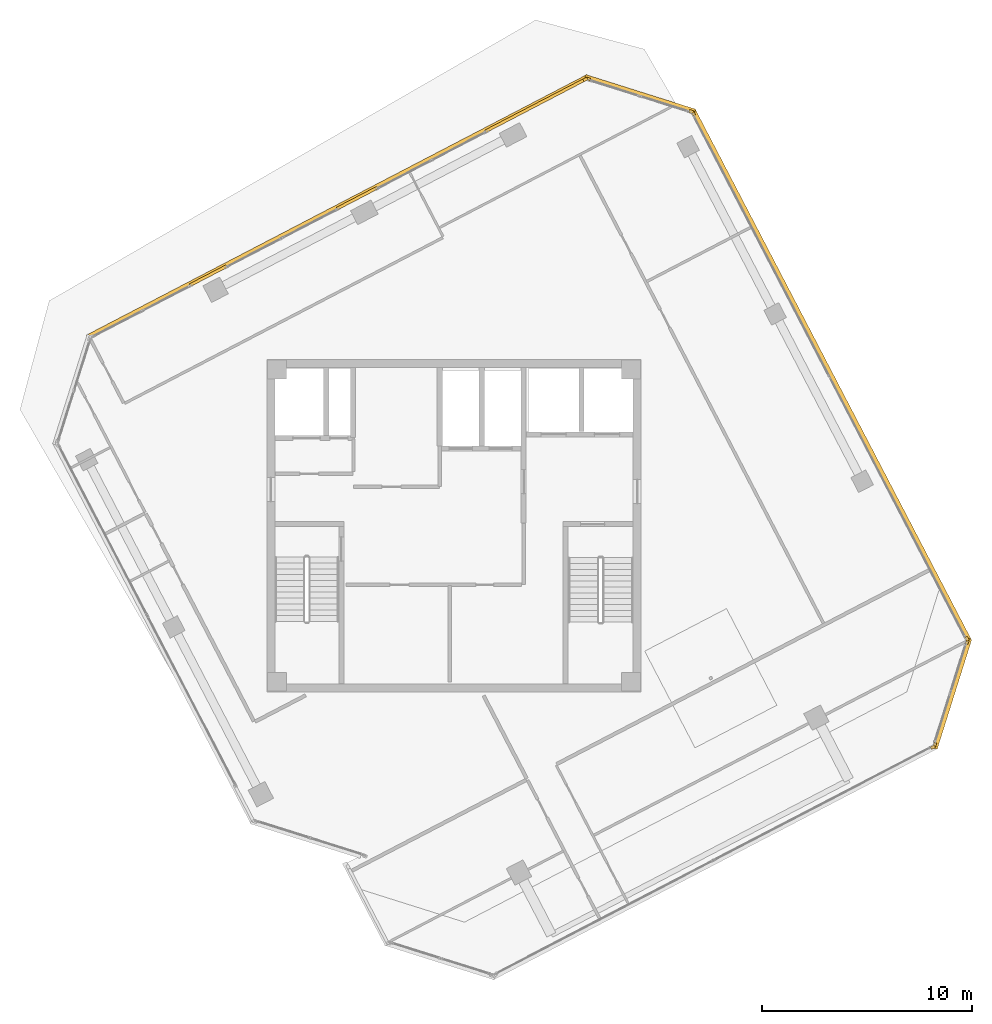
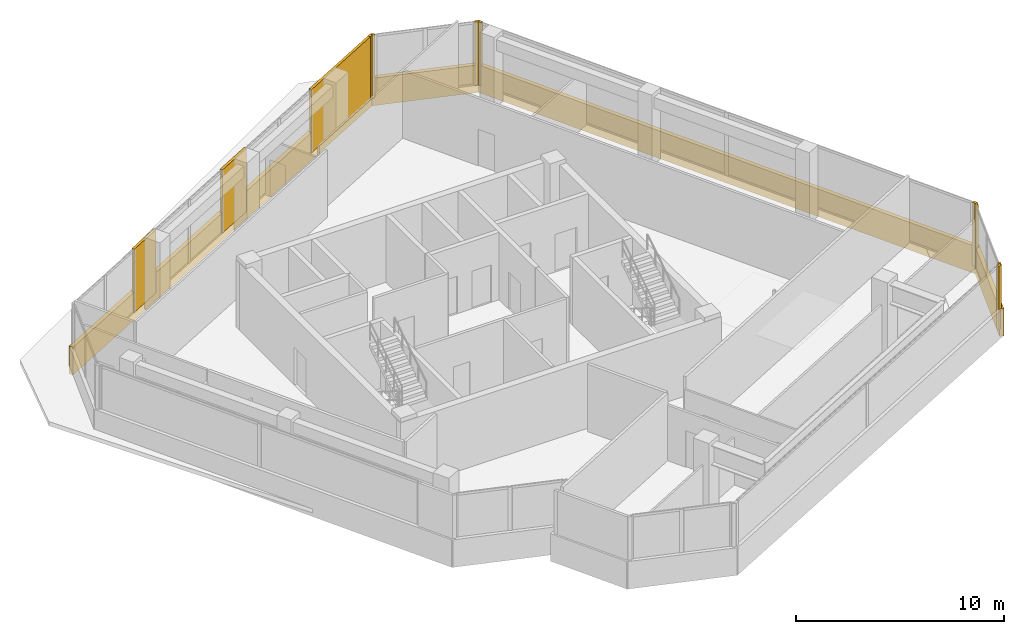
# One storey, part 16 of 16: 15 coverings.
"""IFC4 building model written with IfcOpenShell, lengths in metres."""

from ifc_helpers import new_model, si_unit, direction, frame, origin, origin_2d, place, context, subcontext, project, spatial, rectangle, extrude, source, transform, mapped, material, layer, layer_set, type_object, element, save


model = new_model("IFC4")

# Units and contexts
model_context = context("Model", 3, precision=1e-05, world=origin(), true_north=direction((0.0, 1.0)))
body_context = subcontext(model_context, "Body", "Model", "MODEL_VIEW")
ifc_project = project(units=[si_unit("LENGTHUNIT", "METRE"), si_unit("AREAUNIT", "SQUARE_METRE"), si_unit("VOLUMEUNIT", "CUBIC_METRE"), si_unit("PLANEANGLEUNIT", "RADIAN"), si_unit("MASSUNIT", "GRAM", prefix="KILO")], contexts=[model_context])

# Site, building, storey
site_placement = place(None, origin())
site = spatial("IfcSite", under=ifc_project, at=site_placement, CompositionType="ELEMENT")
building_placement = place(site_placement, origin())
building = spatial("IfcBuilding", under=site, at=building_placement, Name="Torre Montelarca", CompositionType="ELEMENT")
storey_placement = place(building_placement, frame((0.0, 0.0, 328.199951171875)))
storey = spatial("IfcBuildingStorey", under=building, at=storey_placement, Name="L74", CompositionType="ELEMENT", Elevation=328.199951171875)

# Coverings
ifc_material = material(Name="Bush-hammered warm white precast concrete C45/55", Category="concrete")
ifc_layer = layer(ifc_material, 0.139892578125, Name="Bush-hammered warm white precast concrete C45/55", Category="concrete")
ifc_layer_set = layer_set([ifc_layer], Name="Bush-hammered warm white precast concrete C45/55")
covering_type = type_object("IfcCoveringType", Name="COV-TRAY-CLAD", PredefinedType="CLADDING", material=ifc_layer_set)
shared_shape_1 = source(origin(), body_context, "Body", "SweptSolid", [
    extrude(rectangle(XDim=0.199951171875, YDim=0.139892578125, at=origin_2d()), origin(), (0.0, 0.0, 1.0), 3.719970703125),
])
for number, where, z_axis, x_axis, name in (
    (1, (40.850830078125, 21.430908203125, 0.0), (0.0, 0.0, 1.0), (0.88701163908, 0.461747065108, 0.0), "L74 Architectural Column Pier Cladding E06-2"),
    (2, (40.944091796875, 21.542236328125, 0.0), (0.0, 0.0, 1.0), (0.30070080585, 0.953718525227, 0.0), "L74 Architectural Column Pier Cladding E07-1"),
    (3, (42.490478515625, 26.446533203125, 0.0), (0.0, 0.0, 1.0), (0.30070080585, 0.953718525227, 0.0), "L74 Architectural Column Pier Cladding E07-2"),
    (4, (42.477783203125, 26.591064453125, 0.0), (0.0, 0.0, 1.0), (-0.461747065108, 0.88701163908, 0.0), "L74 Architectural Column Pier Cladding E08-1"),
    (5, (29.425048828125, 51.66552734375, 0.0), (0.0, 0.0, 1.0), (-0.461747065108, 0.88701163908, 0.0), "L74 Architectural Column Pier Cladding E08-2"),
    (6, (29.313720703125, 51.7587890625, 0.0), (0.0, 0.0, 1.0), (-0.953718525227, 0.30070080585, 0.0), "L74 Architectural Column Pier Cladding E09-1"),
    (7, (24.409423828125, 53.30517578125, 0.0), (0.0, 0.0, 1.0), (-0.953718525227, 0.30070080585, 0.0), "L74 Architectural Column Pier Cladding E09-2"),
    (8, (24.264892578125, 53.29248046875, 0.0), (0.0, 0.0, 1.0), (-0.887010833178, -0.461748613235, 0.0), "L74 Architectural Column Pier Cladding E10-1"),
):
    element("IfcCovering", number, at=place(storey_placement, frame(where, z_axis=z_axis, x_axis=x_axis)), inside=storey, type_object=covering_type, Name=name, PredefinedType="CLADDING", context=body_context, shape_type="MappedRepresentation", body=[
        mapped(shared_shape_1, transform((0.0, 0.0, 0.0), scale=1.0)),
    ])
shared_shape_2 = source(origin(), body_context, "Body", "SweptSolid", [
    extrude(rectangle(XDim=2.159912109375, YDim=0.139892578125, at=origin_2d()), origin(), (0.0, 0.0, 1.0), 3.719970703125),
])
covering_1_placement = place(storey_placement, frame((13.36865234375, 47.6201171875, 0.0), z_axis=(0.0, 0.0, 1.0), x_axis=(-0.887010833178, -0.461748613235, 0.0)))
element("IfcCovering", 9, at=covering_1_placement, inside=storey, type_object=covering_type, Name="L74 Architectural Column Pier Cladding E10-3", PredefinedType="CLADDING", context=body_context, shape_type="MappedRepresentation", body=[
    mapped(shared_shape_2, transform((0.0, 0.0, 0.0), scale=1.0)),
])
shared_shape_3 = source(origin(), body_context, "Body", "SweptSolid", [
    extrude(rectangle(XDim=1.9599609375, YDim=0.139892578125, at=origin_2d()), origin(), (0.0, 0.0, 1.0), 3.719970703125),
])
covering_2_placement = place(storey_placement, frame((6.2724609375, 43.92626953125, 0.0), z_axis=(0.0, 0.0, 1.0), x_axis=(-0.887010833178, -0.461748613235, 0.0)))
element("IfcCovering", 10, at=covering_2_placement, inside=storey, type_object=covering_type, Name="L74 Architectural Column Pier Cladding E10-4", PredefinedType="CLADDING", context=body_context, shape_type="MappedRepresentation", body=[
    mapped(shared_shape_3, transform((0.0, 0.0, 0.0), scale=1.0)),
])
shared_shape_4 = source(origin(), body_context, "Body", "SweptSolid", [
    extrude(rectangle(XDim=5.493896484375, YDim=0.219970703125, at=origin_2d()), origin(), (0.0, 0.0, 1.0), 1.6201171875),
])
for number, where, z_axis, x_axis, name in (
    (11, (41.7744140625, 23.976318359375, -0.449951171875), (0.0, 0.0, 1.0), (0.300705799504, 0.953716950748, 0.0), "L74 Architectural White Spandrel Tray Band TRYBOT-07"),
    (12, (26.879638671875, 52.589111328125, -0.449951171875), (0.0, 0.0, 1.0), (-0.953716950748, 0.300705799504, 0.0), "L74 Architectural White Spandrel Tray Band TRYBOT-09"),
):
    element("IfcCovering", number, at=place(storey_placement, frame(where, z_axis=z_axis, x_axis=x_axis)), inside=storey, type_object=covering_type, Name=name, PredefinedType="CLADDING", context=body_context, shape_type="MappedRepresentation", body=[
        mapped(shared_shape_4, transform((0.0, 0.0, 0.0), scale=1.0)),
    ])
shared_shape_5 = source(origin(), body_context, "Body", "SweptSolid", [
    extrude(rectangle(XDim=28.6201171875, YDim=0.219970703125, at=origin_2d()), origin(), (0.0, 0.0, 1.0), 1.6201171875),
])
covering_3_placement = place(storey_placement, frame((36.004638671875, 39.156005859375, -0.449951171875), z_axis=(0.0, 0.0, 1.0), x_axis=(-0.461747065108, 0.88701163908, 0.0)))
element("IfcCovering", 13, at=covering_3_placement, inside=storey, type_object=covering_type, Name="L74 Architectural White Spandrel Tray Band TRYBOT-08", PredefinedType="CLADDING", context=body_context, shape_type="MappedRepresentation", body=[
    mapped(shared_shape_5, transform((0.0, 0.0, 0.0), scale=1.0)),
])
shared_shape_6 = source(origin(), body_context, "Body", "SweptSolid", [
    extrude(rectangle(XDim=26.919921875, YDim=0.219970703125, at=origin_2d()), origin(), (0.0, 0.0, 1.0), 1.6201171875),
])
covering_4_placement = place(storey_placement, frame((12.453857421875, 47.211669921875, -0.449951171875), z_axis=(0.0, 0.0, 1.0), x_axis=(-0.887010027274, -0.46175016136, 0.0)))
element("IfcCovering", 14, at=covering_4_placement, inside=storey, type_object=covering_type, Name="L74 Architectural White Spandrel Tray Band TRYBOT-10", PredefinedType="CLADDING", context=body_context, shape_type="MappedRepresentation", body=[
    mapped(shared_shape_6, transform((0.0, 0.0, 0.0), scale=1.0)),
])
shared_shape_7 = source(origin(), body_context, "Body", "SweptSolid", [
    extrude(rectangle(XDim=5.3642578125, YDim=0.139892578125, at=origin_2d()), origin(), (0.0, 0.0, 1.0), 3.719970703125),
])
covering_5_placement = place(storey_placement, frame((21.8857421875, 52.053955078125, 0.0), z_axis=(0.0, 0.0, 1.0), x_axis=(-0.887010833178, -0.461748613235, 0.0)))
element("IfcCovering", 15, at=covering_5_placement, inside=storey, type_object=covering_type, Name="L74 Architectural Column Pier Cladding E10-2", PredefinedType="CLADDING", context=body_context, shape_type="MappedRepresentation", body=[
    mapped(shared_shape_7, transform((0.0, 0.0, 0.0), scale=1.0)),
])

save(model, "model.ifc")
